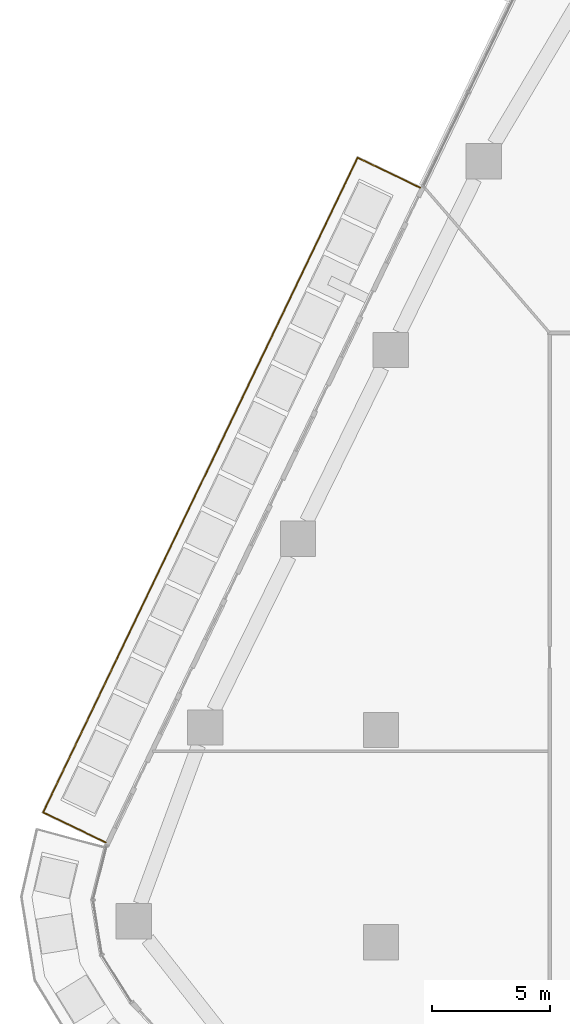
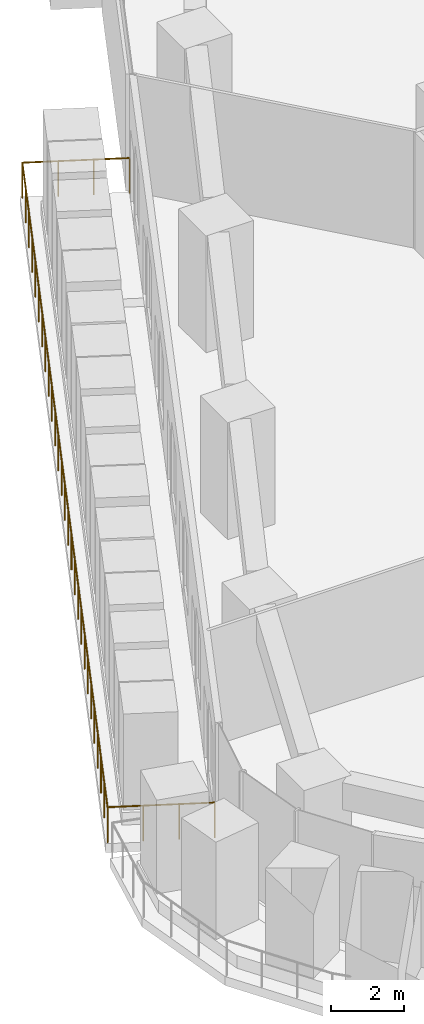
# One storey, part 20 of 23: 1 railing.
"""IFC4 building model written with IfcOpenShell, lengths in metres."""

from ifc_helpers import new_model, si_unit, direction, frame, origin, origin_2d, place, context, subcontext, project, spatial, circle, extrude, material, type_object, element, save


model = new_model("IFC4")

# Units and contexts
model_context = context("Model", 3, precision=1e-05, world=origin(), true_north=direction((0.0, 1.0)))
body_context = subcontext(model_context, "Body", "Model", "MODEL_VIEW")
ifc_project = project(units=[si_unit("LENGTHUNIT", "METRE"), si_unit("AREAUNIT", "SQUARE_METRE"), si_unit("VOLUMEUNIT", "CUBIC_METRE"), si_unit("PLANEANGLEUNIT", "RADIAN"), si_unit("MASSUNIT", "GRAM", prefix="KILO")], contexts=[model_context])

# Site, building, storey
site_placement = place(None, origin())
site = spatial("IfcSite", under=ifc_project, at=site_placement, CompositionType="ELEMENT")
building_placement = place(site_placement, origin())
building = spatial("IfcBuilding", under=site, at=building_placement, Name="Dongbaek Canopy Tower", CompositionType="ELEMENT")
storey_placement = place(building_placement, frame((0.0, 0.0, 84.699951171875)))
storey = spatial("IfcBuildingStorey", under=building, at=storey_placement, Name="L17", CompositionType="ELEMENT", Elevation=84.699951171875)

# Railing
ifc_material = material(Name="Stainless steel", Category="steel")
railing_type = type_object("IfcRailingType", Name="Balcony balustrade 1200", PredefinedType="BALUSTRADE", material=ifc_material)
railing_placement = place(storey_placement, frame((-25.3408203125, 23.00634765625, 0.0)))
element("IfcRailing", 1, at=railing_placement, inside=storey, type_object=railing_type, Name="Balcony guard L17 2", PredefinedType="BALUSTRADE", context=body_context, shape_type="SweptSolid", body=[
    extrude(circle(Radius=0.02392578125, at=origin_2d()), frame((0.0, 0.0, 1.17578125), z_axis=(-0.901325998393, 0.43314136794, 0.0), x_axis=(-0.43314136794, -0.901325998393, 0.0)), (0.0, 0.0, 1.0), 2.93994140625),
    extrude(circle(Radius=0.02392578125, at=origin_2d()), frame((-2.64990234375, 1.2734375, 1.17578125), z_axis=(-0.43308081654, -0.90135509448, 0.0), x_axis=(0.90135509448, -0.43308081654, 0.0)), (0.0, 0.0, 1.0), 30.814697265625),
    extrude(circle(Radius=0.02392578125, at=origin_2d()), frame((-15.9951171875, -26.50146484375, 1.17578125), z_axis=(0.901373989718, -0.433041488381, 0.0), x_axis=(0.433041488381, 0.901373989718, 0.0)), (0.0, 0.0, 1.0), 2.940185546875),
    extrude(circle(Radius=0.02099609375, at=origin_2d()), origin(), (0.0, 0.0, 1.0), 1.15185546875),
    extrude(circle(Radius=0.02099609375, at=origin_2d()), frame((-0.88330078125, 0.424560546875, 0.0)), (0.0, 0.0, 1.0), 1.15185546875),
    extrude(circle(Radius=0.02099609375, at=origin_2d()), frame((-1.7666015625, 0.848876953125, 0.0)), (0.0, 0.0, 1.0), 1.15185546875),
    extrude(circle(Radius=0.02099609375, at=origin_2d()), frame((-2.64990234375, 1.2734375, 0.0)), (0.0, 0.0, 1.0), 1.15185546875),
    extrude(circle(Radius=0.02099609375, at=origin_2d()), frame((-3.1630859375, 0.205078125, 0.0)), (0.0, 0.0, 1.0), 1.15185546875),
    extrude(circle(Radius=0.02099609375, at=origin_2d()), frame((-3.676513671875, -0.863037109375, 0.0)), (0.0, 0.0, 1.0), 1.15185546875),
    extrude(circle(Radius=0.02099609375, at=origin_2d()), frame((-4.189697265625, -1.931396484375, 0.0)), (0.0, 0.0, 1.0), 1.15185546875),
    extrude(circle(Radius=0.02099609375, at=origin_2d()), frame((-4.703125, -2.99951171875, 0.0)), (0.0, 0.0, 1.0), 1.15185546875),
    extrude(circle(Radius=0.02099609375, at=origin_2d()), frame((-5.21630859375, -4.06787109375, 0.0)), (0.0, 0.0, 1.0), 1.15185546875),
    extrude(circle(Radius=0.02099609375, at=origin_2d()), frame((-5.7294921875, -5.13623046875, 0.0)), (0.0, 0.0, 1.0), 1.15185546875),
    extrude(circle(Radius=0.02099609375, at=origin_2d()), frame((-6.242919921875, -6.204345703125, 0.0)), (0.0, 0.0, 1.0), 1.15185546875),
    extrude(circle(Radius=0.02099609375, at=origin_2d()), frame((-6.756103515625, -7.272705078125, 0.0)), (0.0, 0.0, 1.0), 1.15185546875),
    extrude(circle(Radius=0.02099609375, at=origin_2d()), frame((-7.269287109375, -8.341064453125, 0.0)), (0.0, 0.0, 1.0), 1.15185546875),
    extrude(circle(Radius=0.02099609375, at=origin_2d()), frame((-7.78271484375, -9.4091796875, 0.0)), (0.0, 0.0, 1.0), 1.15185546875),
    extrude(circle(Radius=0.02099609375, at=origin_2d()), frame((-8.2958984375, -10.4775390625, 0.0)), (0.0, 0.0, 1.0), 1.15185546875),
    extrude(circle(Radius=0.02099609375, at=origin_2d()), frame((-8.809326171875, -11.545654296875, 0.0)), (0.0, 0.0, 1.0), 1.15185546875),
    extrude(circle(Radius=0.02099609375, at=origin_2d()), frame((-9.322509765625, -12.614013671875, 0.0)), (0.0, 0.0, 1.0), 1.15185546875),
    extrude(circle(Radius=0.02099609375, at=origin_2d()), frame((-9.835693359375, -13.682373046875, 0.0)), (0.0, 0.0, 1.0), 1.15185546875),
    extrude(circle(Radius=0.02099609375, at=origin_2d()), frame((-10.34912109375, -14.75048828125, 0.0)), (0.0, 0.0, 1.0), 1.15185546875),
    extrude(circle(Radius=0.02099609375, at=origin_2d()), frame((-10.8623046875, -15.81884765625, 0.0)), (0.0, 0.0, 1.0), 1.15185546875),
    extrude(circle(Radius=0.02099609375, at=origin_2d()), frame((-11.375732421875, -16.886962890625, 0.0)), (0.0, 0.0, 1.0), 1.15185546875),
    extrude(circle(Radius=0.02099609375, at=origin_2d()), frame((-11.888916015625, -17.955322265625, 0.0)), (0.0, 0.0, 1.0), 1.15185546875),
    extrude(circle(Radius=0.02099609375, at=origin_2d()), frame((-12.402099609375, -19.023681640625, 0.0)), (0.0, 0.0, 1.0), 1.15185546875),
    extrude(circle(Radius=0.02099609375, at=origin_2d()), frame((-12.91552734375, -20.091796875, 0.0)), (0.0, 0.0, 1.0), 1.15185546875),
    extrude(circle(Radius=0.02099609375, at=origin_2d()), frame((-13.4287109375, -21.16015625, 0.0)), (0.0, 0.0, 1.0), 1.15185546875),
    extrude(circle(Radius=0.02099609375, at=origin_2d()), frame((-13.94189453125, -22.228515625, 0.0)), (0.0, 0.0, 1.0), 1.15185546875),
    extrude(circle(Radius=0.02099609375, at=origin_2d()), frame((-14.455322265625, -23.296630859375, 0.0)), (0.0, 0.0, 1.0), 1.15185546875),
    extrude(circle(Radius=0.02099609375, at=origin_2d()), frame((-14.968505859375, -24.364990234375, 0.0)), (0.0, 0.0, 1.0), 1.15185546875),
    extrude(circle(Radius=0.02099609375, at=origin_2d()), frame((-15.48193359375, -25.43310546875, 0.0)), (0.0, 0.0, 1.0), 1.15185546875),
    extrude(circle(Radius=0.02099609375, at=origin_2d()), frame((-15.9951171875, -26.50146484375, 0.0)), (0.0, 0.0, 1.0), 1.15185546875),
    extrude(circle(Radius=0.02099609375, at=origin_2d()), frame((-15.11181640625, -26.92578125, 0.0)), (0.0, 0.0, 1.0), 1.15185546875),
    extrude(circle(Radius=0.02099609375, at=origin_2d()), frame((-14.228271484375, -27.350341796875, 0.0)), (0.0, 0.0, 1.0), 1.15185546875),
    extrude(circle(Radius=0.02099609375, at=origin_2d()), frame((-13.344970703125, -27.774658203125, 0.0)), (0.0, 0.0, 1.0), 1.15185546875),
])

save(model, "model.ifc")
